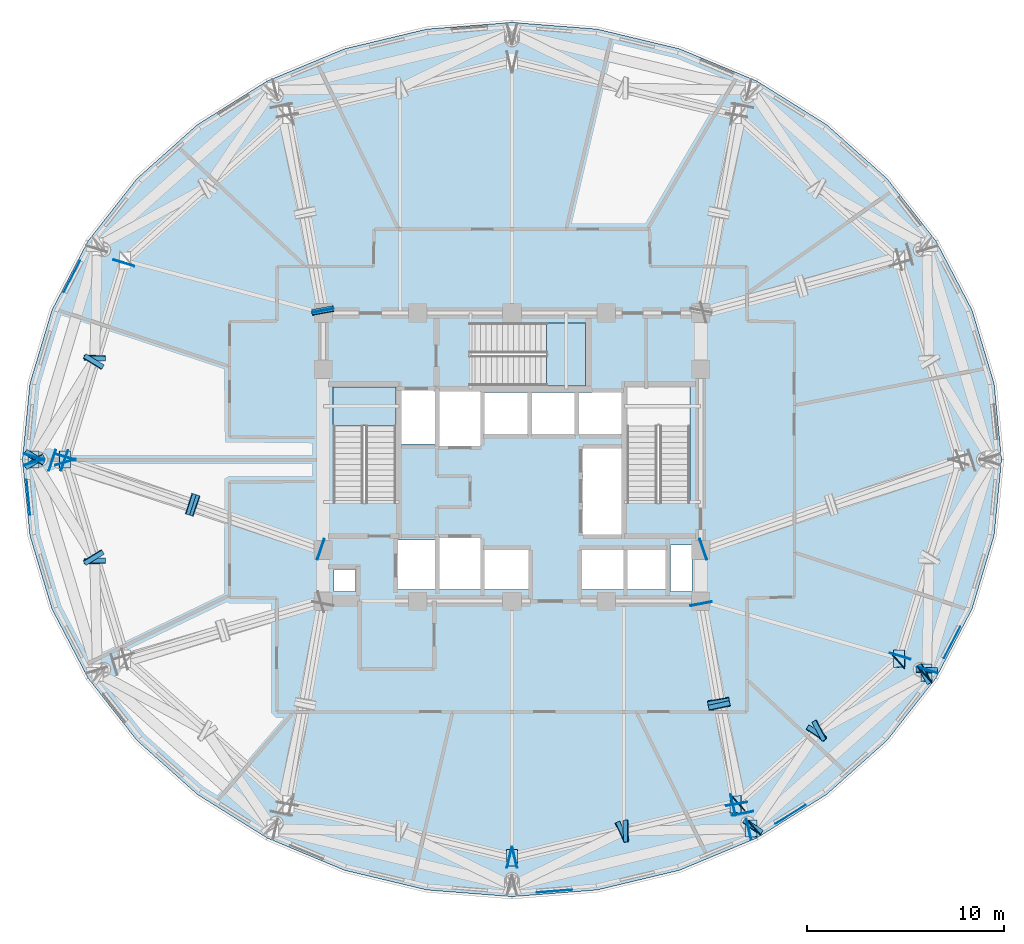
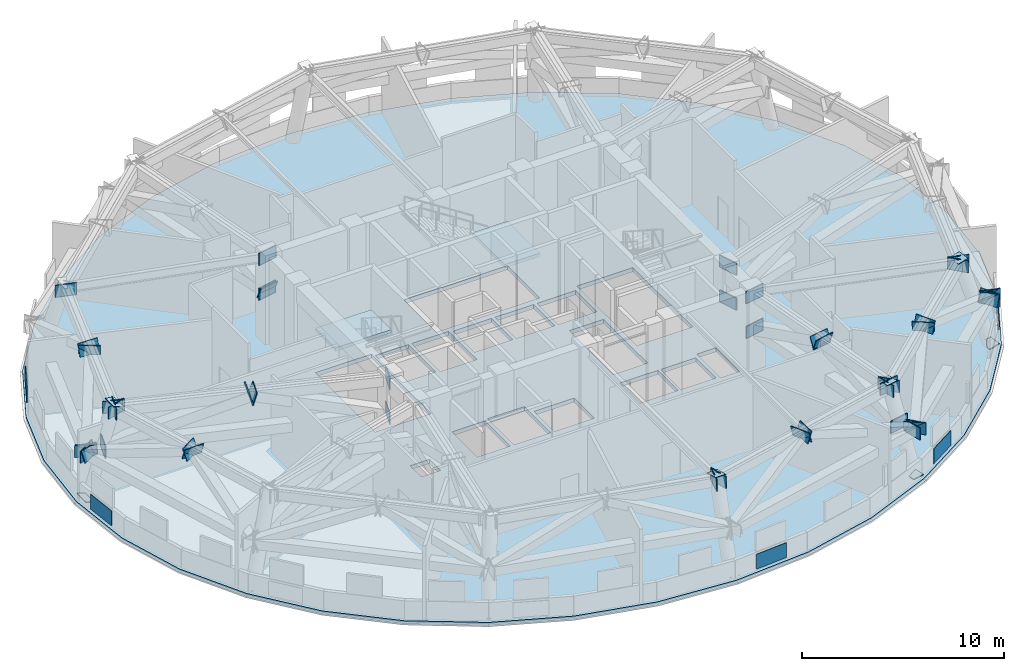
# One storey, part 4 of 13: 57 plates, 3 slabs, 2 elements without a shape of their own.
"""IFC4 building model written with IfcOpenShell, lengths in metres."""

from ifc_helpers import new_model, si_unit, direction, frame, origin, origin_2d, place, context, subcontext, project, spatial, polyline, rectangle, outline, extrude, material, layer, layer_set, type_object, element, aggregate, save


model = new_model("IFC4")

# Units and contexts
model_context = context("Model", 3, precision=1e-05, world=origin(), true_north=direction((0.0, 1.0)))
body_context = subcontext(model_context, "Body", "Model", "MODEL_VIEW")
ifc_project = project(units=[si_unit("LENGTHUNIT", "METRE"), si_unit("AREAUNIT", "SQUARE_METRE"), si_unit("VOLUMEUNIT", "CUBIC_METRE"), si_unit("PLANEANGLEUNIT", "RADIAN"), si_unit("MASSUNIT", "GRAM", prefix="KILO")], contexts=[model_context])

# Site, building, storey
site_placement = place(None, origin())
site = spatial("IfcSite", under=ifc_project, at=site_placement, CompositionType="ELEMENT")
building_placement = place(site_placement, origin())
building = spatial("IfcBuilding", under=site, at=building_placement, Name="Vantalir Tower", CompositionType="ELEMENT")
storey_placement = place(building_placement, frame((0.0, 0.0, 175.949951171875)))
storey = spatial("IfcBuildingStorey", under=building, at=storey_placement, Name="L44", CompositionType="ELEMENT", Elevation=175.949951171875)

# Plates
ifc_material_1 = material(Name="Steel S460", Category="steel")
ifc_layer_1 = layer(ifc_material_1, 0.044921875)
ifc_layer_set_1 = layer_set([ifc_layer_1], Name="Steel S460")
plate_type_1 = type_object("IfcPlateType", Name="PLT-BN-01", PredefinedType="USERDEFINED", material=ifc_layer_set_1)
for number, where, z_axis, x_axis, name in (
    (1, (7.18896484375, 25.12890625, 2.4599609375), (0.0, 0.0, 1.0), (-0.28812941634, -0.957591478366, 0.0), "Node Cap Plate MEM-L44-BTCB-06 End"),
    (2, (11.759033203125, 34.998046875, 4.56005859375), (0.0, 0.0, 1.0), (-0.288212980863, -0.957566330685, 0.0), "Node Cap Plate MEM-L44-BTCT-06 Start"),
    (3, (8.7890625, 25.12890625, 4.56005859375), (0.0, 0.0, 1.0), (-0.288212980863, -0.957566330685, 0.0), "Node Cap Plate MEM-L44-BTCT-06 End"),
):
    element("IfcPlate", number, at=place(storey_placement, frame(where, z_axis=z_axis, x_axis=x_axis)), inside=storey, type_object=plate_type_1, Name=name, ObjectType="FLANGE_PLATE", PredefinedType="USERDEFINED", context=body_context, shape_type="SweptSolid", body=[
        extrude(rectangle(XDim=0.044921875, YDim=1.10009765625, at=origin_2d()), origin(), (0.0, 0.0, 1.0), 0.719970703125),
    ])
plate_1_placement = place(storey_placement, frame((9.72314453125, 30.03173828125, 4.553466796875), z_axis=(-0.022529450155, -0.939561513886, 0.341638091406), x_axis=(0.999712635233, -0.023971794983, 0.0)))
element("IfcPlate", 4, at=plate_1_placement, inside=storey, type_object=plate_type_1, Name="Node Cap Plate MEM-L44-BTDG-06A End", ObjectType="FLANGE_PLATE", PredefinedType="USERDEFINED", context=body_context, shape_type="SweptSolid", body=[
    extrude(outline(polyline([(0.0, 0.0), (1.0999254548216215, -1.734723475976807e-18), (1.099889689611007, 0.7198243602851153), (-3.57652106143299e-05, 0.7198243602851153), (0.0, 0.0)])), origin(), (0.0, 0.0, -1.0), 0.044921875),
])
plate_2_placement = place(storey_placement, frame((7.75927734375, 24.93994140625, 2.533203125), z_axis=(0.495188348864, 0.802535808842, 0.332753324064), x_axis=(-0.851036235022, 0.525106966574, 1.8283502e-05)))
element("IfcPlate", 5, at=plate_2_placement, inside=storey, type_object=plate_type_1, Name="Node Cap Plate MEM-L44-BTDG-06B Start", ObjectType="FLANGE_PLATE", PredefinedType="USERDEFINED", context=body_context, shape_type="SweptSolid", body=[
    extrude(outline(polyline([(0.0, 0.0), (1.1001286729065263, 5.551115123125783e-17), (1.1000969811016346, 0.719962835025179), (0.0001760807134242621, 0.720005490400045), (0.0, 0.0)])), origin(), (0.0, 0.0, -1.0), 0.044921875),
])
plate_3_placement = place(storey_placement, frame((10.763916015625, 29.81005859375, 4.552978515625), z_axis=(0.495056684351, 0.802596653767, 0.332802479922), x_axis=(-0.851107533631, 0.524991395471, -2.9638108e-05)))
element("IfcPlate", 6, at=plate_3_placement, inside=storey, type_object=plate_type_1, Name="Node Cap Plate MEM-L44-BTDG-06B End", ObjectType="FLANGE_PLATE", PredefinedType="USERDEFINED", context=body_context, shape_type="SweptSolid", body=[
    extrude(outline(polyline([(0.0, 0.0), (1.100128670204653, -2.7755575615628914e-17), (1.099968794625784, 0.720031980316337), (-3.17038514592974e-05, 0.7199628308960906), (0.0, 0.0)])), origin(), (0.0, 0.0, -1.0), 0.044921875),
])
for number, where, z_axis, x_axis, name in (
    (7, (7.18896484375, 24.87109375, 2.4599609375), (0.0, 0.0, 1.0), (0.28812941634, -0.957591478366, 0.0), "Node Cap Plate MEM-L44-BTCB-07 Start"),
    (8, (8.7890625, 24.87109375, 4.56005859375), (0.0, 0.0, 1.0), (0.288212980863, -0.957566330685, 0.0), "Node Cap Plate MEM-L44-BTCT-07 Start"),
):
    element("IfcPlate", number, at=place(storey_placement, frame(where, z_axis=z_axis, x_axis=x_axis)), inside=storey, type_object=plate_type_1, Name=name, ObjectType="FLANGE_PLATE", PredefinedType="USERDEFINED", context=body_context, shape_type="SweptSolid", body=[
        extrude(rectangle(XDim=0.044921875, YDim=1.10009765625, at=origin_2d()), origin(), (0.0, 0.0, 1.0), 0.719970703125),
    ])
plate_4_placement = place(storey_placement, frame((6.822998046875, 24.482421875, 2.533203125), z_axis=(0.495188348864, -0.802535808842, 0.332753324064), x_axis=(0.851036235022, 0.525106966574, -1.8283502e-05)))
element("IfcPlate", 9, at=plate_4_placement, inside=storey, type_object=plate_type_1, Name="Node Cap Plate MEM-L44-BTDG-07A Start", ObjectType="FLANGE_PLATE", PredefinedType="USERDEFINED", context=body_context, shape_type="SweptSolid", body=[
    extrude(outline(polyline([(0.0, 0.0), (1.1001286729065263, -5.551115123125783e-17), (1.0999525921931022, 0.7200054904000449), (3.1691804891720215e-05, 0.7199628350251789), (0.0, 0.0)])), origin(), (0.0, 0.0, -1.0), 0.044921875),
])
plate_5_placement = place(storey_placement, frame((9.82763671875, 19.6123046875, 4.552978515625), z_axis=(0.495056684351, -0.802596653767, 0.332802479922), x_axis=(0.851107533631, 0.524991395471, 2.9638108e-05)))
element("IfcPlate", 10, at=plate_5_placement, inside=storey, type_object=plate_type_1, Name="Node Cap Plate MEM-L44-BTDG-07A End", ObjectType="FLANGE_PLATE", PredefinedType="USERDEFINED", context=body_context, shape_type="SweptSolid", body=[
    extrude(outline(polyline([(0.0, 0.0), (1.100128670204653, 2.7755575615628914e-17), (1.1001603740561126, 0.7199628308960906), (0.0001598755788691206, 0.720031980316337), (0.0, 0.0)])), origin(), (0.0, 0.0, -1.0), 0.044921875),
])
plate_6_placement = place(storey_placement, frame((10.82275390625, 19.99462890625, 4.553466796875), z_axis=(-0.022529450155, 0.939561513886, 0.341638091406), x_axis=(-0.999712635233, -0.023971794983, 0.0)))
element("IfcPlate", 11, at=plate_6_placement, inside=storey, type_object=plate_type_1, Name="Node Cap Plate MEM-L44-BTDG-07B End", ObjectType="FLANGE_PLATE", PredefinedType="USERDEFINED", context=body_context, shape_type="SweptSolid", body=[
    extrude(outline(polyline([(0.0, 0.0), (1.0999254548216215, 1.734723475976807e-18), (1.0999612200322357, 0.7198243602851153), (3.57652106143299e-05, 0.7198243602851153), (0.0, 0.0)])), origin(), (0.0, 0.0, -1.0), 0.044921875),
])
for number, where, z_axis, x_axis, name in (
    (12, (31.368896484375, 4.777099609375, 4.56005859375), (0.0, 0.0, 1.0), (0.972694923667, -0.232087452208, 0.0), "Node Cap Plate MEM-L44-BTCT-09 End"),
    (13, (43.5439453125, 6.19189453125, 2.4599609375), (0.0, 0.0, 1.0), (0.972694923667, 0.232087452208, 0.0), "Node Cap Plate MEM-L44-BTCB-10 End"),
    (14, (31.631103515625, 4.777099609375, 4.56005859375), (0.0, 0.0, 1.0), (0.972694923667, 0.232087452208, 0.0), "Node Cap Plate MEM-L44-BTCT-10 Start"),
    (15, (42.743896484375, 7.428955078125, 4.56005859375), (0.0, 0.0, 1.0), (0.972694923667, 0.232087452208, 0.0), "Node Cap Plate MEM-L44-BTCT-10 End"),
):
    element("IfcPlate", number, at=place(storey_placement, frame(where, z_axis=z_axis, x_axis=x_axis)), inside=storey, type_object=plate_type_1, Name=name, ObjectType="FLANGE_PLATE", PredefinedType="USERDEFINED", context=body_context, shape_type="SweptSolid", body=[
        extrude(rectangle(XDim=0.044921875, YDim=1.10009765625, at=origin_2d()), origin(), (0.0, 0.0, 1.0), 0.719970703125),
    ])
plate_7_placement = place(storey_placement, frame((37.46044921875, 5.624267578125, 4.55224609375), z_axis=(0.8524505382, 0.417481646427, 0.314701691794), x_axis=(-0.439837951406, 0.898077154601, 2.9771927e-05)))
element("IfcPlate", 16, at=plate_7_placement, inside=storey, type_object=plate_type_1, Name="Node Cap Plate MEM-L44-BTDG-10A End", ObjectType="FLANGE_PLATE", PredefinedType="USERDEFINED", context=body_context, shape_type="SweptSolid", body=[
    extrude(outline(polyline([(0.0, 0.0), (1.0999460417976532, 0.0), (1.0999589485523236, 0.7198942370824807), (0.00012028906702524438, 0.7199632346339168), (0.0, 0.0)])), origin(), (0.0, 0.0, -1.0), 0.044921875),
])
plate_8_placement = place(storey_placement, frame((37.1455078125, 6.65234375, 4.552001953125), z_axis=(-0.951249757487, -0.017525800193, 0.307923278119), x_axis=(0.018420847216, -0.999830321799, 0.0)))
element("IfcPlate", 17, at=plate_8_placement, inside=storey, type_object=plate_type_1, Name="Node Cap Plate MEM-L44-BTDG-10B End", ObjectType="FLANGE_PLATE", PredefinedType="USERDEFINED", context=body_context, shape_type="SweptSolid", body=[
    extrude(outline(polyline([(0.0, 0.0), (1.1000401684622838, -8.673617379884035e-19), (1.0999740097224875, 0.7200447083939903), (-6.615873979627911e-05, 0.7200447083939903), (0.0, 0.0)])), origin(), (0.0, 0.0, -1.0), 0.044921875),
])
for number, where, z_axis, x_axis, name in (
    (18, (43.77587890625, 6.31298828125, 2.4599609375), (0.0, 0.0, 1.0), (0.746858739968, 0.664982723485, 0.0), "Node Cap Plate MEM-L44-BTCB-11 Start"),
    (19, (52.487060546875, 14.069091796875, 2.4599609375), (0.0, 0.0, 1.0), (0.746858739968, 0.664982723485, 0.0), "Node Cap Plate MEM-L44-BTCB-11 End"),
    (20, (42.97607421875, 7.550048828125, 4.56005859375), (0.0, 0.0, 1.0), (0.7469051627, 0.664930581288, 0.0), "Node Cap Plate MEM-L44-BTCT-11 Start"),
    (21, (51.10107421875, 14.782958984375, 4.56005859375), (0.0, 0.0, 1.0), (0.7469051627, 0.664930581288, 0.0), "Node Cap Plate MEM-L44-BTCT-11 End"),
):
    element("IfcPlate", number, at=place(storey_placement, frame(where, z_axis=z_axis, x_axis=x_axis)), inside=storey, type_object=plate_type_1, Name=name, ObjectType="FLANGE_PLATE", PredefinedType="USERDEFINED", context=body_context, shape_type="SweptSolid", body=[
        extrude(rectangle(XDim=0.044921875, YDim=1.10009765625, at=origin_2d()), origin(), (0.0, 0.0, 1.0), 0.719970703125),
    ])
plate_9_placement = place(storey_placement, frame((44.28076171875, 6.135498046875, 2.53271484375), z_axis=(0.530779378566, 0.780095949954, 0.331245468128), x_axis=(-0.826777325998, 0.562529334696, 2.8678365e-05)))
element("IfcPlate", 22, at=plate_9_placement, inside=storey, type_object=plate_type_1, Name="Node Cap Plate MEM-L44-BTDG-11A Start", ObjectType="FLANGE_PLATE", PredefinedType="USERDEFINED", context=body_context, shape_type="SweptSolid", body=[
    extrude(outline(polyline([(0.0, 0.0), (1.099901092153654, -2.7755575615628914e-17), (1.1001076761597994, 0.7200632591679851), (6.92477427918408e-05, 0.7201301247598484), (0.0, 0.0)])), origin(), (0.0, 0.0, -1.0), 0.044921875),
])
plate_10_placement = place(storey_placement, frame((47.516357421875, 10.89111328125, 4.552978515625), z_axis=(0.530662207426, 0.780077633252, 0.331476255123), x_axis=(-0.826823276387, 0.562461793924, 0.0)))
element("IfcPlate", 23, at=plate_10_placement, inside=storey, type_object=plate_type_1, Name="Node Cap Plate MEM-L44-BTDG-11A End", ObjectType="FLANGE_PLATE", PredefinedType="USERDEFINED", context=body_context, shape_type="SweptSolid", body=[
    extrude(outline(polyline([(0.0, 0.0), (1.0999010962758868, -5.551115123125783e-17), (1.099970352262885, 0.7198997887243855), (6.925598699818042e-05, 0.7198997887243856), (0.0, 0.0)])), origin(), (0.0, 0.0, -1.0), 0.044921875),
])
plate_11_placement = place(storey_placement, frame((52.094970703125, 14.51806640625, 2.5283203125), z_axis=(-0.835172745071, -0.450226759698, 0.315883444869), x_axis=(0.474523300623, -0.880242942128, 0.0)))
element("IfcPlate", 24, at=plate_11_placement, inside=storey, type_object=plate_type_1, Name="Node Cap Plate MEM-L44-BTDG-11B Start", ObjectType="FLANGE_PLATE", PredefinedType="USERDEFINED", context=body_context, shape_type="SweptSolid", body=[
    extrude(outline(polyline([(0.0, 0.0), (1.0999937317409516, -2.7755575615628914e-17), (1.1000039187746542, 0.7199693370562761), (1.0187033702493964e-05, 0.7199693370562762), (0.0, 0.0)])), origin(), (0.0, 0.0, -1.0), 0.044921875),
])
plate_12_placement = place(storey_placement, frame((46.74658203125, 11.634033203125, 4.55224609375), z_axis=(-0.835084781028, -0.450389900811, 0.315883436955), x_axis=(0.474695244348, -0.880150228651, 0.0)))
element("IfcPlate", 25, at=plate_12_placement, inside=storey, type_object=plate_type_1, Name="Node Cap Plate MEM-L44-BTDG-11B End", ObjectType="FLANGE_PLATE", PredefinedType="USERDEFINED", context=body_context, shape_type="SweptSolid", body=[
    extrude(outline(polyline([(0.0, 0.0), (1.1001096031464725, -2.7755575615628914e-17), (1.1001642172337978, 0.7199693350569388), (5.4614087325252636e-05, 0.7199693350569389), (0.0, 0.0)])), origin(), (0.0, 0.0, -1.0), 0.044921875),
])
for number, where, z_axis, x_axis, name in (
    (26, (52.626953125, 14.2880859375, 2.4599609375), (0.0, 0.0, 1.0), (0.28812941634, 0.957591478366, 0.0), "Node Cap Plate MEM-L44-BTCB-12 Start"),
    (27, (51.240966796875, 15.001953125, 4.56005859375), (0.0, 0.0, 1.0), (0.288212980863, 0.957566330685, 0.0), "Node Cap Plate MEM-L44-BTCT-12 Start"),
):
    element("IfcPlate", number, at=place(storey_placement, frame(where, z_axis=z_axis, x_axis=x_axis)), inside=storey, type_object=plate_type_1, Name=name, ObjectType="FLANGE_PLATE", PredefinedType="USERDEFINED", context=body_context, shape_type="SweptSolid", body=[
        extrude(rectangle(XDim=0.044921875, YDim=1.10009765625, at=origin_2d()), origin(), (0.0, 0.0, 1.0), 0.719970703125),
    ])
plate_13_placement = place(storey_placement, frame((53.144287109375, 14.417236328125, 2.53564453125), z_axis=(0.022530398659, 0.939601070003, 0.341529223326), x_axis=(-0.999712635233, 0.023971794983, 0.0)))
element("IfcPlate", 28, at=plate_13_placement, inside=storey, type_object=plate_type_1, Name="Node Cap Plate MEM-L44-BTDG-12A Start", ObjectType="FLANGE_PLATE", PredefinedType="USERDEFINED", context=body_context, shape_type="SweptSolid", body=[
    extrude(outline(polyline([(0.0, 0.0), (1.0999254548216215, 0.0), (1.099889689611007, 0.7200538161872801), (-3.5765210614329966e-05, 0.7200538161872801), (0.0, 0.0)])), origin(), (0.0, 0.0, -1.0), 0.044921875),
])
for number, where, z_axis, x_axis, name in (
    (29, (41.22802734375, 20.44189453125, 2.4599609375), (0.0, 0.0, 1.0), (0.949463831971, 0.31387645942, 0.0), "Node Cap Plate MEM-L44-ORCB-01 Start"),
    (30, (41.22802734375, 20.444091796875, 4.56005859375), (0.0, 0.0, 1.0), (0.945011716069, 0.327036475782, 0.0), "Node Cap Plate MEM-L44-ORCT-01 Start"),
    (31, (21.873046875, 32.58203125, 2.4599609375), (0.0, 0.0, 1.0), (-0.197965291892, 0.980209030363, 0.0), "Node Cap Plate MEM-L44-ORCB-04 Start"),
    (32, (21.8759765625, 32.5830078125, 4.56005859375), (0.0, 0.0, 1.0), (-0.178098116029, 0.9840127342, 0.0), "Node Cap Plate MEM-L44-ORCT-04 Start"),
):
    element("IfcPlate", number, at=place(storey_placement, frame(where, z_axis=z_axis, x_axis=x_axis)), inside=storey, type_object=plate_type_1, Name=name, ObjectType="FLANGE_PLATE", PredefinedType="USERDEFINED", context=body_context, shape_type="SweptSolid", body=[
        extrude(rectangle(XDim=0.044921875, YDim=1.10009765625, at=origin_2d()), origin(), (0.0, 0.0, 1.0), 0.719970703125),
    ])
plate_14_placement = place(storey_placement, frame((22.39111328125, 32.8251953125, 2.545654296875), z_axis=(-0.165161804085, 0.911989339118, 0.375495704112), x_axis=(-0.983993947959, -0.178201880968, 0.0)))
element("IfcPlate", 33, at=plate_14_placement, inside=storey, type_object=plate_type_1, Name="Node Cap Plate MEM-L44-ORDG-04A Start", ObjectType="FLANGE_PLATE", PredefinedType="USERDEFINED", context=body_context, shape_type="SweptSolid", body=[
    extrude(outline(polyline([(0.0, 0.0), (1.1001282411295032, 0.0), (1.100224247600925, 0.7201802844164835), (9.600647142150169e-05, 0.7201802844164834), (0.0, 0.0)])), origin(), (0.0, 0.0, -1.0), 0.044921875),
])
for number, where, z_axis, x_axis, name in (
    (34, (21.77197265625, 20.44189453125, 2.4599609375), (0.0, 0.0, 1.0), (-0.949463831971, 0.31387645942, 0.0), "Node Cap Plate MEM-L44-ORCB-05 Start"),
    (35, (8.114013671875, 24.9580078125, 2.4599609375), (0.0, 0.0, 1.0), (-0.949463831971, 0.31387645942, 0.0), "Node Cap Plate MEM-L44-ORCB-05 End"),
    (36, (21.77197265625, 20.444091796875, 4.56005859375), (0.0, 0.0, 1.0), (-0.945011716069, 0.327036475782, 0.0), "Node Cap Plate MEM-L44-ORCT-05 Start"),
    (37, (8.735107421875, 24.9560546875, 4.56005859375), (0.0, 0.0, 1.0), (-0.945011716069, 0.327036475782, 0.0), "Node Cap Plate MEM-L44-ORCT-05 End"),
):
    element("IfcPlate", number, at=place(storey_placement, frame(where, z_axis=z_axis, x_axis=x_axis)), inside=storey, type_object=plate_type_1, Name=name, ObjectType="FLANGE_PLATE", PredefinedType="USERDEFINED", context=body_context, shape_type="SweptSolid", body=[
        extrude(rectangle(XDim=0.044921875, YDim=1.10009765625, at=origin_2d()), origin(), (0.0, 0.0, 1.0), 0.719970703125),
    ])
plate_15_placement = place(storey_placement, frame((15.41162109375, 23.2275390625, 4.55126953125), z_axis=(-0.905502724594, 0.313353279636, 0.28613727107), x_axis=(-0.327034826016, -0.945012286558, -2.8750905e-05)))
element("IfcPlate", 38, at=plate_15_placement, inside=storey, type_object=plate_type_1, Name="Node Cap Plate MEM-L44-ORDG-05A End", ObjectType="FLANGE_PLATE", PredefinedType="USERDEFINED", context=body_context, shape_type="SweptSolid", body=[
    extrude(outline(polyline([(0.0, 0.0), (1.1000760863556283, -2.7755575615628914e-17), (1.100019531148283, 0.7200805845693298), (2.3287279475319568e-05, 0.720014570353604), (0.0, 0.0)])), origin(), (0.0, 0.0, -1.0), 0.044921875),
])
plate_16_placement = place(storey_placement, frame((15.102783203125, 22.1708984375, 4.551025390625), z_axis=(0.919182845597, -0.290882001534, 0.265500579177), x_axis=(0.301703057951, 0.953401942567, 2.7080873e-05)))
element("IfcPlate", 39, at=plate_16_placement, inside=storey, type_object=plate_type_1, Name="Node Cap Plate MEM-L44-ORDG-05B Start", ObjectType="FLANGE_PLATE", PredefinedType="USERDEFINED", context=body_context, shape_type="SweptSolid", body=[
    extrude(outline(polyline([(0.0, 0.0), (1.1000559572805766, 0.0), (1.100058244423346, 0.7198986655642715), (-7.13708303632176e-05, 0.7199604665030602), (0.0, 0.0)])), origin(), (0.0, 0.0, -1.0), 0.044921875),
])
for number, where, z_axis, x_axis, name in (
    (40, (41.1259765625, 17.66796875, 2.4599609375), (0.0, 0.0, 1.0), (0.193617960618, -0.981077002751, 0.0), "Node Cap Plate MEM-L44-ORCB-08 Start"),
    (41, (43.23095703125, 7.0009765625, 2.4599609375), (0.0, 0.0, 1.0), (0.193617960618, -0.981077002751, 0.0), "Node Cap Plate MEM-L44-ORCB-08 End"),
    (42, (41.123046875, 17.6669921875, 4.56005859375), (0.0, 0.0, 1.0), (0.173974742731, -0.984750114949, 0.0), "Node Cap Plate MEM-L44-ORCT-08 Start"),
    (43, (42.923095703125, 7.48291015625, 4.56005859375), (0.0, 0.0, 1.0), (0.173974742731, -0.984750114949, 0.0), "Node Cap Plate MEM-L44-ORCT-08 End"),
):
    element("IfcPlate", number, at=place(storey_placement, frame(where, z_axis=z_axis, x_axis=x_axis)), inside=storey, type_object=plate_type_1, Name=name, ObjectType="FLANGE_PLATE", PredefinedType="USERDEFINED", context=body_context, shape_type="SweptSolid", body=[
        extrude(rectangle(XDim=0.044921875, YDim=1.10009765625, at=origin_2d()), origin(), (0.0, 0.0, 1.0), 0.719970703125),
    ])
plate_17_placement = place(storey_placement, frame((41.490966796875, 12.4248046875, 4.5546875), z_axis=(0.161802194107, -0.915606421117, 0.368082778178), x_axis=(0.984742647339, 0.174017006263, -6.608981e-06)))
element("IfcPlate", 44, at=plate_17_placement, inside=storey, type_object=plate_type_1, Name="Node Cap Plate MEM-L44-ORDG-08A End", ObjectType="FLANGE_PLATE", PredefinedType="USERDEFINED", context=body_context, shape_type="SweptSolid", body=[
    extrude(outline(polyline([(0.0, 0.0), (1.1000323386601314, 0.0), (1.1000054093442373, 0.7199891223552842), (0.00021348636949112938, 0.7199734859754283), (0.0, 0.0)])), origin(), (0.0, 0.0, -1.0), 0.044921875),
])
plate_18_placement = place(storey_placement, frame((42.55126953125, 12.734130859375, 4.55322265625), z_axis=(-0.198961628231, 0.919714487245, 0.338436895807), x_axis=(-0.977388605491, -0.21145096988, 3.4546997e-05)))
element("IfcPlate", 45, at=plate_18_placement, inside=storey, type_object=plate_type_1, Name="Node Cap Plate MEM-L44-ORDG-08B Start", ObjectType="FLANGE_PLATE", PredefinedType="USERDEFINED", context=body_context, shape_type="SweptSolid", body=[
    extrude(outline(polyline([(0.0, 0.0), (1.099842481511663, -1.3877787807814457e-17), (1.0998501884917227, 0.7199363366570893), (5.9330752003267e-05, 0.7200170928807497), (0.0, 0.0)])), origin(), (0.0, 0.0, -1.0), 0.044921875),
])
ifc_layer_2 = layer(ifc_material_1, 0.035888671875)
ifc_layer_set_2 = layer_set([ifc_layer_2], Name="Steel S460")
plate_type_2 = type_object("IfcPlateType", Name="PLT-KN-Z2", PredefinedType="USERDEFINED", material=ifc_layer_set_2)
plate_19_placement = place(storey_placement, frame((8.48095703125, 25.43994140625, 5.331787109375), z_axis=(0.2930206332, 0.0, 0.956106117813), x_axis=(0.0, -1.0, 0.0)))
element("IfcPlate", 46, at=plate_19_placement, inside=storey, type_object=plate_type_2, Name="L44 Ring Column Top Cap RC07", ObjectType="FLANGE_PLATE", PredefinedType="USERDEFINED", context=body_context, shape_type="SweptSolid", body=[
    extrude(outline(polyline([(0.0, 0.0), (0.8798828125, 0.0), (0.8798828125, 0.5798973032861517), (0.0, 0.5798973032861517), (0.0, 0.0)])), origin(), (0.0, 0.0, -1.0), 0.035888671875),
])
plate_20_placement = place(storey_placement, frame((6.88818359375, 25.43994140625, 0.1357421875), z_axis=(0.292902729703, 0.0, 0.956142244089), x_axis=(0.0, -1.0, 0.0)))
element("IfcPlate", 47, at=plate_20_placement, inside=storey, type_object=plate_type_2, Name="L44 Ring Column Base Cap RC07", ObjectType="FLANGE_PLATE", PredefinedType="USERDEFINED", context=body_context, shape_type="SweptSolid", body=[
    extrude(outline(polyline([(0.0, 0.0), (0.8798828125, 0.0), (0.8798828125, 0.5801307320421542), (0.0, 0.5801307320421542), (0.0, 0.0)])), origin(), (0.0, 0.0, -1.0), 0.035888671875),
])
plate_21_placement = place(storey_placement, frame((31.2099609375, 5.177734375, 5.130859375), z_axis=(0.0, 0.263892155946, 0.96455219145), x_axis=(0.0, -0.96455219145, 0.263892155946)))
element("IfcPlate", 48, at=plate_21_placement, inside=storey, type_object=plate_type_2, Name="L44 Ring Column Top Cap RC10", ObjectType="FLANGE_PLATE", PredefinedType="USERDEFINED", context=body_context, shape_type="SweptSolid", body=[
    extrude(outline(polyline([(0.0, 0.0), (0.8798205219197653, 0.0), (0.8798205219197653, 0.580078125), (0.0, 0.580078125), (0.0, 0.0)])), origin(), (0.0, 0.0, -1.0), 0.035888671875),
])
plate_22_placement = place(storey_placement, frame((42.583984375, 7.884765625, 5.10400390625), z_axis=(-0.147464842294, 0.228018554352, 0.962424884944), x_axis=(-4.663515e-06, -0.973063253903, 0.230538291574)))
element("IfcPlate", 49, at=plate_22_placement, inside=storey, type_object=plate_type_2, Name="L44 Ring Column Top Cap RC11", ObjectType="FLANGE_PLATE", PredefinedType="USERDEFINED", context=body_context, shape_type="SweptSolid", body=[
    extrude(outline(polyline([(0.0, 0.0), (0.8801472692846426, 0.0), (0.8800946507787873, 0.5800763751456683), (0.00018494576511706926, 0.5800680763652664), (0.0, 0.0)])), origin(), (0.0, 0.0, -1.0), 0.035888671875),
])
plate_23_placement = place(storey_placement, frame((43.38037109375, 6.6533203125, -0.092041015625), z_axis=(-0.147512303995, 0.228047703414, 0.96241070502), x_axis=(0.0, -0.973055719843, 0.230570089304)))
element("IfcPlate", 50, at=plate_23_placement, inside=storey, type_object=plate_type_2, Name="L44 Ring Column Base Cap RC11", ObjectType="FLANGE_PLATE", PredefinedType="USERDEFINED", context=body_context, shape_type="SweptSolid", body=[
    extrude(outline(polyline([(0.0, 0.0), (0.8799097054930477, 0.0), (0.8798625588000352, 0.580076376284005), (-4.714669301258273e-05, 0.580076376284005), (0.0, 0.0)])), origin(), (0.0, 0.0, -1.0), 0.035888671875),
])
for number, where, z_axis, x_axis, name in (
    (51, (50.914306640625, 15.302490234375, 5.1142578125), (-0.254239181281, 0.131080684751, 0.958217247177), (-3.3796273e-05, -0.990773878763, 0.135525348252), "L44 Ring Column Top Cap RC12"),
    (52, (52.2939453125, 14.591796875, -0.081787109375), (-0.254239181281, 0.131080684751, 0.958217247177), (-3.3796273e-05, -0.990773878763, 0.135525348252), "L44 Ring Column Base Cap RC12"),
):
    element("IfcPlate", number, at=place(storey_placement, frame(where, z_axis=z_axis, x_axis=x_axis)), inside=storey, type_object=plate_type_2, Name=name, ObjectType="FLANGE_PLATE", PredefinedType="USERDEFINED", context=body_context, shape_type="SweptSolid", body=[
        extrude(outline(polyline([(0.0, 0.0), (0.8799291726097362, 0.0), (0.8798946417772231, 0.5801270718175937), (-6.761807573889972e-05, 0.5800655732898081), (0.0, 0.0)])), origin(), (0.0, 0.0, -1.0), 0.035888671875),
    ])
ifc_material_2 = material(Name="Champagne-silver PVDF aluminium cassette", Category="aluminium")
ifc_layer_3 = layer(ifc_material_2, 0.02392578125)
ifc_layer_set_3 = layer_set([ifc_layer_3], Name="Champagne-silver PVDF aluminium cassette")
plate_type_3 = type_object("IfcPlateType", Name="PLT-SC-01", PredefinedType="SHEET", material=ifc_layer_set_3)
for number, where, z_axis, x_axis, name in (
    (53, (9.116943359375, 34.30908203125, 0.10009765625), (0.0, 0.0, 1.0), (-0.463342435996, -0.886179319893, 0.0), "L44 PVDF Aluminium Spandrel Cassette R16"),
    (54, (6.89990234375, 23.0810546875, 0.10009765625), (0.0, 0.0, 1.0), (0.097652379501, -0.995220584985, 0.0), "L44 PVDF Aluminium Spandrel Cassette R19"),
    (55, (33.654052734375, 3.048095703125, 0.10009765625), (0.0, 0.0, 1.0), (0.996977292027, 0.077693495115, 0.0), "L44 PVDF Aluminium Spandrel Cassette R28"),
    (56, (45.6689453125, 6.952880859375, 0.10009765625), (0.0, 0.0, 1.0), (0.848159063587, 0.529741637834, 0.0), "L44 PVDF Aluminium Spandrel Cassette R31"),
    (57, (53.883056640625, 15.69091796875, 0.10009765625), (0.0, 0.0, 1.0), (0.463342435996, 0.886179319893, 0.0), "L44 PVDF Aluminium Spandrel Cassette R34"),
):
    element("IfcPlate", number, at=place(storey_placement, frame(where, z_axis=z_axis, x_axis=x_axis)), inside=storey, type_object=plate_type_3, Name=name, PredefinedType="SHEET", context=body_context, shape_type="SweptSolid", body=[
        extrude(rectangle(XDim=1.800048828125, YDim=0.02392578125, at=origin_2d()), origin(), (0.0, 0.0, 1.0), 0.89990234375),
    ])

# Stair, slab
ifc_material_3 = material(Name="Concrete C40/50", Category="concrete")
stair_type = type_object("IfcStairType", Name="STR-CORE-1450", PredefinedType="HALF_TURN_STAIR", material=ifc_material_3)
stair_1_placement = place(storey_placement, origin())
stair_1 = element("IfcStair", 58, at=stair_1_placement, inside=storey, type_object=stair_type, Name="L44 Core Exit Stair 1", PredefinedType="HALF_TURN_STAIR")
ifc_layer_4 = layer(ifc_material_3, 0.199951171875)
ifc_layer_set_4 = layer_set([ifc_layer_4], Name="Concrete C40/50")
slab_type_1 = type_object("IfcSlabType", Name="SL-LAND-200", PredefinedType="LANDING", material=ifc_layer_set_4)
slab_1_placement = place(storey_placement, frame((0.0, 0.0, 2.5)))
slab_1 = element("IfcSlab", 59, at=slab_1_placement, type_object=slab_type_1, Name="ST1 landing 1", PredefinedType="LANDING", context=body_context, shape_type="SweptSolid", body=[
    extrude(outline(polyline([(25.60009765625, 26.7099609375), (25.60009765625, 28.699951171875), (22.39990234375, 28.699951171875), (22.39990234375, 26.7099609375), (25.60009765625, 26.7099609375)])), origin(), (0.0, 0.0, 1.0), 0.199951171875),
])
aggregate(stair_1, [slab_1])

stair_2_placement = place(storey_placement, origin())
stair_2 = element("IfcStair", 60, at=stair_2_placement, inside=storey, type_object=stair_type, Name="L44 Core Exit Stair 3", PredefinedType="HALF_TURN_STAIR")
slab_2_placement = place(storey_placement, frame((0.0, 0.0, 2.5)))
slab_2 = element("IfcSlab", 61, at=slab_2_placement, type_object=slab_type_1, Name="ST3 landing 1", PredefinedType="LANDING", context=body_context, shape_type="SweptSolid", body=[
    extrude(outline(polyline([(33.260009765625, 28.75), (35.25, 28.75), (35.25, 31.949951171875), (33.260009765625, 31.949951171875), (33.260009765625, 28.75)])), origin(), (0.0, 0.0, 1.0), 0.199951171875),
])
aggregate(stair_2, [slab_2])

# Slab
ifc_material_4 = material(Name="Concrete C50/60", Category="concrete")
ifc_layer_5 = layer(ifc_material_4, 0.25)
ifc_layer_set_5 = layer_set([ifc_layer_5], Name="Concrete C50/60")
slab_type_2 = type_object("IfcSlabType", Name="SL-PLNT-250", PredefinedType="FLOOR", material=ifc_layer_set_5)
slab_3_placement = place(storey_placement, frame((0.0, 0.0, -0.25)))
element("IfcSlab", 62, at=slab_3_placement, inside=storey, type_object=slab_type_2, Name="L44 Primary Structural Slab", PredefinedType="FLOOR", context=body_context, shape_type="SweptSolid", body=[
    extrude(outline(polyline([(9.93603515625, 13.884033203125), (12.425048828125, 10.7099609375), (15.4951171875, 7.968994140625), (19.050048828125, 5.7470703125), (22.98388671875, 4.10888671875), (27.176025390625, 3.10595703125), (31.5, 2.76806640625), (35.823974609375, 3.10595703125), (40.01611328125, 4.10888671875), (43.949951171875, 5.7470703125), (47.5048828125, 7.968994140625), (50.574951171875, 10.7099609375), (53.06396484375, 13.884033203125), (54.89794921875, 17.39599609375), (56.02197265625, 21.138916015625), (56.39990234375, 25.0), (56.02197265625, 28.861083984375), (54.89794921875, 32.60400390625), (53.06396484375, 36.115966796875), (50.574951171875, 39.2900390625), (47.5048828125, 42.031005859375), (43.949951171875, 44.2529296875), (40.01611328125, 45.89111328125), (35.823974609375, 46.89404296875), (31.5, 47.23193359375), (27.176025390625, 46.89404296875), (22.98388671875, 45.89111328125), (19.050048828125, 44.2529296875), (15.4951171875, 42.031005859375), (12.425048828125, 39.2900390625), (9.93603515625, 36.115966796875), (8.10205078125, 32.60400390625), (6.97802734375, 28.861083984375), (6.60009765625, 25.0), (6.97802734375, 21.138916015625), (8.10205078125, 17.39599609375), (9.93603515625, 13.884033203125)]), holes=[polyline([(22.39990234375, 22.7900390625), (22.39990234375, 28.699951171875), (25.60009765625, 28.699951171875), (25.60009765625, 22.7900390625), (22.39990234375, 22.7900390625)]), polyline([(37.35009765625, 28.699951171875), (40.550048828125, 28.699951171875), (40.550048828125, 22.7900390625), (37.35009765625, 22.7900390625), (37.35009765625, 28.699951171875)]), polyline([(35.25, 28.75), (29.340087890625, 28.75), (29.340087890625, 31.949951171875), (35.25, 31.949951171875), (35.25, 28.75)]), polyline([(27.60009765625, 18.39990234375), (25.699951171875, 18.39990234375), (25.699951171875, 20.89990234375), (27.60009765625, 20.89990234375), (27.60009765625, 18.39990234375)]), polyline([(25.699951171875, 25.800048828125), (25.699951171875, 28.5), (27.60009765625, 28.5), (27.60009765625, 25.800048828125), (25.699951171875, 25.800048828125)]), polyline([(27.800048828125, 21.0), (29.89990234375, 21.0), (29.89990234375, 18.39990234375), (27.800048828125, 18.39990234375), (27.800048828125, 21.0)]), polyline([(29.89990234375, 28.5), (29.89990234375, 25.699951171875), (27.800048828125, 25.699951171875), (27.800048828125, 28.5), (29.89990234375, 28.5)]), polyline([(32.39990234375, 18.39990234375), (30.10009765625, 18.39990234375), (30.10009765625, 20.39990234375), (32.39990234375, 20.39990234375), (32.39990234375, 18.39990234375)]), polyline([(37.35009765625, 18.39990234375), (37.35009765625, 20.39990234375), (39.35009765625, 20.39990234375), (39.35009765625, 18.39990234375), (37.35009765625, 18.39990234375)]), polyline([(35.0, 20.39990234375), (37.199951171875, 20.39990234375), (37.199951171875, 18.39990234375), (35.0, 18.39990234375), (35.0, 20.39990234375)]), polyline([(32.300048828125, 28.39990234375), (32.300048828125, 26.300048828125), (30.10009765625, 26.300048828125), (30.10009765625, 28.39990234375), (32.300048828125, 28.39990234375)]), polyline([(34.699951171875, 26.300048828125), (32.5, 26.300048828125), (32.5, 28.39990234375), (34.699951171875, 28.39990234375), (34.699951171875, 26.300048828125)]), polyline([(34.89990234375, 26.300048828125), (34.89990234375, 28.39990234375), (37.10009765625, 28.39990234375), (37.10009765625, 26.300048828125), (34.89990234375, 26.300048828125)]), polyline([(35.10009765625, 25.56005859375), (37.06005859375, 25.56005859375), (37.06005859375, 21.199951171875), (35.10009765625, 21.199951171875), (35.10009765625, 25.56005859375)]), polyline([(23.550048828125, 19.39990234375), (23.550048828125, 18.300048828125), (22.449951171875, 18.300048828125), (22.449951171875, 19.39990234375), (23.550048828125, 19.39990234375)]), polyline([(40.64990234375, 18.300048828125), (39.550048828125, 18.300048828125), (39.550048828125, 20.64990234375), (40.64990234375, 20.64990234375), (40.64990234375, 18.300048828125)])]), origin(), (0.0, 0.0, 1.0), 0.25),
])

save(model, "model.ifc")
